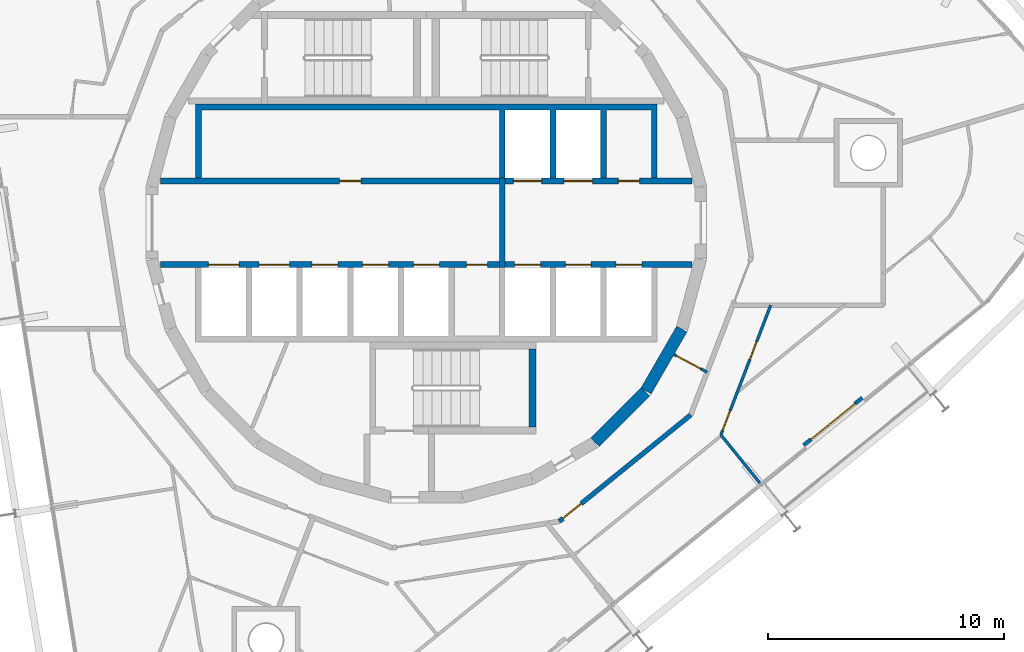
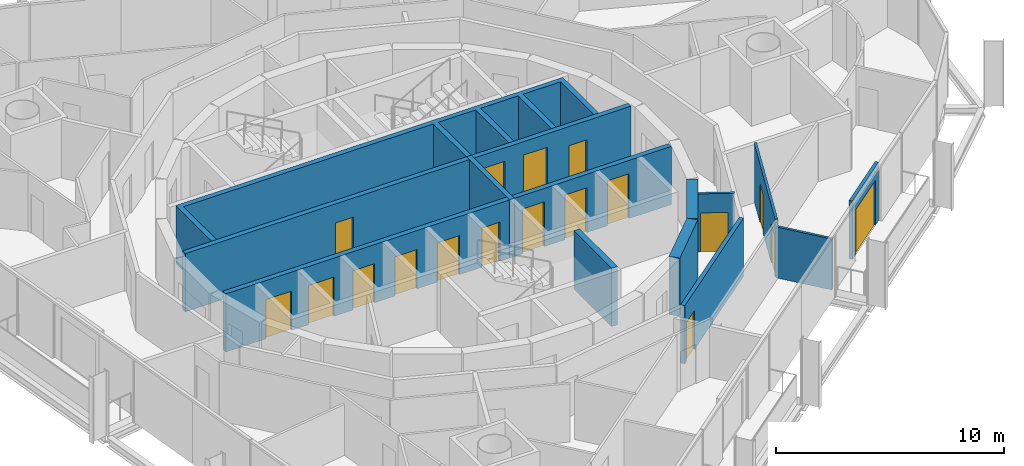
# One storey, part 13 of 17: 18 doors, 14 walls, 18 openings.
"""IFC4 building model written with IfcOpenShell, lengths in metres."""

from ifc_helpers import new_model, si_unit, direction, frame, frame_2d, origin, place, context, subcontext, project, spatial, polyline, rectangle, outline, extrude, material, layer, layer_set, type_object, element, fill, save


model = new_model("IFC4")

# Units and contexts
model_context = context("Model", 3, precision=1e-05, world=origin(), true_north=direction((0.0, 1.0)))
body_context = subcontext(model_context, "Body", "Model", "MODEL_VIEW")
ifc_project = project(units=[si_unit("LENGTHUNIT", "METRE"), si_unit("AREAUNIT", "SQUARE_METRE"), si_unit("VOLUMEUNIT", "CUBIC_METRE"), si_unit("PLANEANGLEUNIT", "RADIAN"), si_unit("MASSUNIT", "GRAM", prefix="KILO")], contexts=[model_context])

# Site, building, storey
site_placement = place(None, origin())
site = spatial("IfcSite", under=ifc_project, at=site_placement, CompositionType="ELEMENT")
building_placement = place(site_placement, origin())
building = spatial("IfcBuilding", under=site, at=building_placement, Name="Spindle Arch Residences", CompositionType="ELEMENT")
storey_placement = place(building_placement, frame((0.0, 0.0, 270.39990234375)))
storey = spatial("IfcBuildingStorey", under=building, at=storey_placement, Name="L69", CompositionType="ELEMENT", Elevation=270.39990234375)

# Walls
ifc_material_1 = material(Name="Concrete C50/60", Category="concrete")
ifc_layer_1 = layer(ifc_material_1, 0.5)
ifc_layer_set_1 = layer_set([ifc_layer_1], Name="Core outline wall 500")
wall_type_1 = type_object("IfcWallType", Name="Core outline wall 500", PredefinedType="SHEAR", material=ifc_layer_set_1)
wall_1_placement = place(storey_placement, frame((7.163818359375, -9.30810546875, 0.0), z_axis=(0.0, 0.0, 1.0), x_axis=(0.707106781187, 0.707106781187, 0.0)))
element("IfcWall", 1, at=wall_1_placement, inside=storey, type_object=wall_type_1, Name="Core outline wall 3", PredefinedType="SHEAR", context=body_context, shape_type="SweptSolid", body=[
    extrude(rectangle(XDim=3.032470703125, YDim=0.5, at=frame_2d((1.51611328125, 0.0))), origin(), (0.0, 0.0, 1.0), 3.1201171875),
])
wall_2_placement = place(storey_placement, frame((9.32861328125, -7.13671875, 0.0), z_axis=(0.0, 0.0, 1.0), x_axis=(0.500087131594, 0.865975092491, 0.0)))
element("IfcWall", 2, at=wall_2_placement, inside=storey, type_object=wall_type_1, Name="Core outline wall 4", PredefinedType="SHEAR", context=body_context, shape_type="SweptSolid", body=[
    extrude(rectangle(XDim=3.03271484375, YDim=0.5, at=frame_2d((1.516357421875, 0.0))), origin(), (0.0, 0.0, 1.0), 3.1201171875),
])

# Wall, opening, door
ifc_material_2 = material(Name="Plasterboard on steel studs", Category="steel")
ifc_layer_2 = layer(ifc_material_2, 0.1201171875)
ifc_layer_set_2 = layer_set([ifc_layer_2], Name="Corridor division wall 120")
wall_type_2 = type_object("IfcWallType", Name="Corridor division wall 120", PredefinedType="PARTITIONING", material=ifc_layer_set_2)
wall_3_placement = place(storey_placement, frame((10.510986328125, -5.5888671875, 0.0), z_axis=(0.0, 0.0, 1.0), x_axis=(0.882983002821, -0.469404960273, 0.0)))
wall_3 = element("IfcWall", 3, at=wall_3_placement, inside=storey, type_object=wall_type_2, Name="Corridor division wall R7A0-W002", PredefinedType="PARTITIONING", context=body_context, shape_type="SweptSolid", body=[
    extrude(rectangle(XDim=1.59619140625, YDim=0.1201171875, at=frame_2d((0.798095703125, 0.0))), origin(), (0.0, 0.0, 1.0), 3.1201171875),
])
opening_1_placement = place(wall_3_placement, frame((0.10009765625, 0.0, 0.0)))
opening_1 = element("IfcOpeningElement", 4, at=opening_1_placement, cuts=wall_3, Name="Opening R7A0-CD02", PredefinedType="OPENING", context=body_context, shape_type="SweptSolid", body=[
    extrude(rectangle(XDim=1.199951171875, YDim=2.10009765625, at=frame_2d((0.60009765625, 1.050048828125))), frame((0.0, 0.070068359375, 0.0), z_axis=(0.0, -1.0, 0.0), x_axis=(1.0, 0.0, 0.0)), (0.0, 0.0, 1.0), 0.14013671875),
])
ifc_material_3 = material(Name="Steel, fire-resisting door", Category="steel")
door_type_1 = type_object("IfcDoorType", Name="Corridor division door 1200x2100", OperationType="NOTDEFINED", PredefinedType="DOOR", material=ifc_material_3)
door_1_placement = place(opening_1_placement, origin())
door_1 = element("IfcDoor", 5, at=door_1_placement, inside=storey, type_object=door_type_1, Name="Corridor division door R7A0-CD02", OperationType="DOUBLE_DOOR_SINGLE_SWING", OverallHeight=2.10009765625, OverallWidth=1.199951171875, PredefinedType="DOOR", context=body_context, shape_type="SweptSolid", body=[
    extrude(rectangle(XDim=1.199951171875, YDim=2.10009765625, at=frame_2d((0.60009765625, 1.050048828125))), frame((0.0, 0.02490234375, 0.0), z_axis=(0.0, -1.0, 0.0), x_axis=(1.0, 0.0, 0.0)), (0.0, 0.0, 1.0), 0.050048828125),
])
fill(opening_1, door_1)

ifc_material_4 = material(Name="Calcium silicate block, plastered")
ifc_layer_3 = layer(ifc_material_4, 0.199951171875)
ifc_layer_set_3 = layer_set([ifc_layer_3], Name="Corridor wall 200")
wall_type_3 = type_object("IfcWallType", Name="Corridor wall 200", PredefinedType="STANDARD", material=ifc_layer_set_3)
wall_4_placement = place(storey_placement, frame((5.642578125, -12.67333984375, 0.0), z_axis=(0.0, 0.0, 1.0), x_axis=(0.777160148113, 0.629302871585, 0.0)))
wall_4 = element("IfcWall", 6, at=wall_4_placement, inside=storey, type_object=wall_type_3, Name="Corridor wall R7A0-W015", PredefinedType="STANDARD", context=body_context, shape_type="SweptSolid", body=[
    extrude(rectangle(XDim=7.180908203125, YDim=0.199951171875, at=frame_2d((3.59033203125, 0.0))), origin(), (0.0, 0.0, 1.0), 3.1201171875),
])
opening_2_placement = place(wall_4_placement, frame((0.199951171875, 0.0, 0.0)))
opening_2 = element("IfcOpeningElement", 7, at=opening_2_placement, cuts=wall_4, Name="Opening R7A0-FD06", PredefinedType="OPENING", context=body_context, shape_type="SweptSolid", body=[
    extrude(rectangle(XDim=1.0, YDim=2.10009765625, at=frame_2d((0.5, 1.050048828125))), frame((0.0, 0.10986328125, 0.0), z_axis=(0.0, -1.0, 0.0), x_axis=(1.0, 0.0, 0.0)), (0.0, 0.0, 1.0), 0.219970703125),
])
ifc_material_5 = material(Name="Timber, fire-resisting door set", Category="wood")
door_type_2 = type_object("IfcDoorType", Name="Flat entrance door 1000x2100", OperationType="NOTDEFINED", PredefinedType="DOOR", material=ifc_material_5)
door_2_placement = place(opening_2_placement, origin())
door_2 = element("IfcDoor", 8, at=door_2_placement, inside=storey, type_object=door_type_2, Name="Flat entrance door R7A0-FD06", OperationType="SINGLE_SWING_LEFT", OverallHeight=2.10009765625, OverallWidth=1.0, PredefinedType="DOOR", context=body_context, shape_type="SweptSolid", body=[
    extrude(rectangle(XDim=1.0, YDim=2.10009765625, at=frame_2d((0.5, 1.050048828125))), frame((0.0, 0.02490234375, 0.0), z_axis=(0.0, -1.0, 0.0), x_axis=(1.0, 0.0, 0.0)), (0.0, 0.0, 1.0), 0.050048828125),
])
fill(opening_2, door_2)

# Wall, openings, doors
ifc_material_6 = material(Name="Concrete C40/50", Category="concrete")
ifc_layer_4 = layer(ifc_material_6, 0.25)
ifc_layer_set_4 = layer_set([ifc_layer_4], Name="Fire-lift lobby wall 250")
wall_type_4 = type_object("IfcWallType", Name="Fire-lift lobby wall 250", PredefinedType="SHEAR", material=ifc_layer_set_4)
wall_5_placement = place(storey_placement, frame((3.35009765625, 1.77490234375, 0.0), z_axis=(0.0, 0.0, 1.0), x_axis=(1.0, 0.0, 0.0)))
wall_5 = element("IfcWall", 9, at=wall_5_placement, inside=storey, type_object=wall_type_4, Name="Lift shaft front wall NE", PredefinedType="SHEAR", context=body_context, shape_type="SweptSolid", body=[
    extrude(rectangle(XDim=7.929931640625, YDim=0.25, at=frame_2d((3.96484375, 0.0))), origin(), (0.0, 0.0, 1.0), 3.1201171875),
])
opening_3_placement = place(wall_5_placement, frame((0.35009765625, 0.0, 0.0)))
opening_3 = element("IfcOpeningElement", 10, at=opening_3_placement, cuts=wall_5, Name="Opening R7A0-SLD01", PredefinedType="OPENING", context=body_context, shape_type="SweptSolid", body=[
    extrude(rectangle(XDim=1.199951171875, YDim=2.39990234375, at=frame_2d((0.60009765625, 1.199951171875))), frame((0.0, 0.135009765625, 0.0), z_axis=(0.0, -1.0, 0.0), x_axis=(1.0, 0.0, 0.0)), (0.0, 0.0, 1.0), 0.27001953125),
])
opening_4_placement = place(wall_5_placement, frame((2.5, 0.0, 0.0)))
opening_4 = element("IfcOpeningElement", 11, at=opening_4_placement, cuts=wall_5, Name="Opening R7A0-SLD02", PredefinedType="OPENING", context=body_context, shape_type="SweptSolid", body=[
    extrude(rectangle(XDim=1.199951171875, YDim=2.39990234375, at=frame_2d((0.60009765625, 1.199951171875))), frame((0.0, 0.135009765625, 0.0), z_axis=(0.0, -1.0, 0.0), x_axis=(1.0, 0.0, 0.0)), (0.0, 0.0, 1.0), 0.27001953125),
])
opening_5_placement = place(wall_5_placement, frame((4.800048828125, 0.0, 0.0)))
opening_5 = element("IfcOpeningElement", 12, at=opening_5_placement, cuts=wall_5, Name="Opening R7A0-WD02", PredefinedType="OPENING", context=body_context, shape_type="SweptSolid", body=[
    extrude(rectangle(XDim=0.89990234375, YDim=2.10009765625, at=frame_2d((0.449951171875, 1.050048828125))), frame((0.0, 0.135009765625, 0.0), z_axis=(0.0, -1.0, 0.0), x_axis=(1.0, 0.0, 0.0)), (0.0, 0.0, 1.0), 0.27001953125),
])
ifc_material_7 = material(Name="Steel, fire-resisting landing door", Category="steel")
door_type_3 = type_object("IfcDoorType", Name="Service lift landing door 1200x2400", OperationType="DOUBLE_DOOR_SLIDING", PredefinedType="DOOR", material=ifc_material_7)
door_3_placement = place(opening_3_placement, origin())
door_3 = element("IfcDoor", 13, at=door_3_placement, inside=storey, type_object=door_type_3, Name="Service lift landing door R7A0-SLD01", OperationType="DOUBLE_DOOR_SLIDING", OverallHeight=2.39990234375, OverallWidth=1.199951171875, PredefinedType="DOOR", context=body_context, shape_type="SweptSolid", body=[
    extrude(rectangle(XDim=1.199951171875, YDim=2.39990234375, at=frame_2d((0.60009765625, 1.199951171875))), frame((0.0, 0.02490234375, 0.0), z_axis=(0.0, -1.0, 0.0), x_axis=(1.0, 0.0, 0.0)), (0.0, 0.0, 1.0), 0.050048828125),
])
fill(opening_3, door_3)
door_4_placement = place(opening_4_placement, origin())
door_4 = element("IfcDoor", 14, at=door_4_placement, inside=storey, type_object=door_type_3, Name="Service lift landing door R7A0-SLD02", OperationType="DOUBLE_DOOR_SLIDING", OverallHeight=2.39990234375, OverallWidth=1.199951171875, PredefinedType="DOOR", context=body_context, shape_type="SweptSolid", body=[
    extrude(rectangle(XDim=1.199951171875, YDim=2.39990234375, at=frame_2d((0.60009765625, 1.199951171875))), frame((0.0, 0.02490234375, 0.0), z_axis=(0.0, -1.0, 0.0), x_axis=(1.0, 0.0, 0.0)), (0.0, 0.0, 1.0), 0.050048828125),
])
fill(opening_4, door_4)
ifc_material_8 = material(Name="Steel, fire-resisting door", Category="steel")
door_type_4 = type_object("IfcDoorType", Name="Service room door 900x2100", OperationType="SINGLE_SWING_LEFT", PredefinedType="DOOR", material=ifc_material_8)
door_5_placement = place(opening_5_placement, origin())
door_5 = element("IfcDoor", 15, at=door_5_placement, inside=storey, type_object=door_type_4, Name="Service room door R7A0-WD02", OperationType="SINGLE_SWING_RIGHT", OverallHeight=2.10009765625, OverallWidth=0.89990234375, PredefinedType="DOOR", context=body_context, shape_type="SweptSolid", body=[
    extrude(rectangle(XDim=0.89990234375, YDim=2.10009765625, at=frame_2d((0.449951171875, 1.050048828125))), frame((0.0, 0.02490234375, 0.0), z_axis=(0.0, -1.0, 0.0), x_axis=(1.0, 0.0, 0.0)), (0.0, 0.0, 1.0), 0.050048828125),
])
fill(opening_5, door_5)

# Wall
wall_6_placement = place(storey_placement, frame((3.22509765625, -1.89990234375, 0.0), z_axis=(0.0, 0.0, 1.0), x_axis=(0.0, 1.0, 0.0)))
element("IfcWall", 16, at=wall_6_placement, inside=storey, type_object=wall_type_4, Name="Fire-fighting lobby partition", PredefinedType="SHEAR", context=body_context, shape_type="SweptSolid", body=[
    extrude(rectangle(XDim=3.7998046875, YDim=0.25, at=frame_2d((1.89990234375, 0.0))), origin(), (0.0, 0.0, 1.0), 3.1201171875),
])

# Wall, openings, doors
ifc_material_9 = material(Name="Concrete C50/60", Category="concrete")
ifc_layer_5 = layer(ifc_material_9, 0.25)
ifc_layer_set_5 = layer_set([ifc_layer_5], Name="Fire-lift shaft wall 250")
wall_type_5 = type_object("IfcWallType", Name="Fire-lift shaft wall 250", PredefinedType="SHEAR", material=ifc_layer_set_5)
wall_7_placement = place(storey_placement, frame((3.35009765625, -1.77490234375, 0.0), z_axis=(0.0, 0.0, 1.0), x_axis=(1.0, 0.0, 0.0)))
wall_7 = element("IfcWall", 17, at=wall_7_placement, inside=storey, type_object=wall_type_5, Name="Lift shaft front wall SE", PredefinedType="SHEAR", context=body_context, shape_type="SweptSolid", body=[
    extrude(rectangle(XDim=7.929931640625, YDim=0.25, at=frame_2d((3.96484375, 0.0))), origin(), (0.0, 0.0, 1.0), 3.1201171875),
])
opening_6_placement = place(wall_7_placement, frame((0.39990234375, 0.0, 0.0)))
opening_6 = element("IfcOpeningElement", 18, at=opening_6_placement, cuts=wall_7, Name="Opening R7A0-FLD01", PredefinedType="OPENING", context=body_context, shape_type="SweptSolid", body=[
    extrude(rectangle(XDim=1.10009765625, YDim=2.39990234375, at=frame_2d((0.550048828125, 1.199951171875))), frame((0.0, 0.135009765625, 0.0), z_axis=(0.0, -1.0, 0.0), x_axis=(1.0, 0.0, 0.0)), (0.0, 0.0, 1.0), 0.27001953125),
])
opening_7_placement = place(wall_7_placement, frame((2.550048828125, 0.0, 0.0)))
opening_7 = element("IfcOpeningElement", 19, at=opening_7_placement, cuts=wall_7, Name="Opening R7A0-FLD02", PredefinedType="OPENING", context=body_context, shape_type="SweptSolid", body=[
    extrude(rectangle(XDim=1.10009765625, YDim=2.39990234375, at=frame_2d((0.550048828125, 1.199951171875))), frame((0.0, 0.135009765625, 0.0), z_axis=(0.0, -1.0, 0.0), x_axis=(1.0, 0.0, 0.0)), (0.0, 0.0, 1.0), 0.27001953125),
])
opening_8_placement = place(wall_7_placement, frame((4.699951171875, 0.0, 0.0)))
opening_8 = element("IfcOpeningElement", 20, at=opening_8_placement, cuts=wall_7, Name="Opening R7A0-FLD03", PredefinedType="OPENING", context=body_context, shape_type="SweptSolid", body=[
    extrude(rectangle(XDim=1.10009765625, YDim=2.39990234375, at=frame_2d((0.550048828125, 1.199951171875))), frame((0.0, 0.135009765625, 0.0), z_axis=(0.0, -1.0, 0.0), x_axis=(1.0, 0.0, 0.0)), (0.0, 0.0, 1.0), 0.27001953125),
])
ifc_material_10 = material(Name="Steel, fire-resisting landing door", Category="steel")
door_type_5 = type_object("IfcDoorType", Name="Fire-fighting lift landing door 1100x2400", OperationType="DOUBLE_DOOR_SLIDING", PredefinedType="DOOR", material=ifc_material_10)
door_6_placement = place(opening_6_placement, origin())
door_6 = element("IfcDoor", 21, at=door_6_placement, inside=storey, type_object=door_type_5, Name="Fire-fighting lift landing door R7A0-FLD01", OperationType="DOUBLE_DOOR_SLIDING", OverallHeight=2.39990234375, OverallWidth=1.10009765625, PredefinedType="DOOR", context=body_context, shape_type="SweptSolid", body=[
    extrude(rectangle(XDim=1.10009765625, YDim=2.39990234375, at=frame_2d((0.550048828125, 1.199951171875))), frame((0.0, 0.02490234375, 0.0), z_axis=(0.0, -1.0, 0.0), x_axis=(1.0, 0.0, 0.0)), (0.0, 0.0, 1.0), 0.050048828125),
])
fill(opening_6, door_6)
door_7_placement = place(opening_7_placement, origin())
door_7 = element("IfcDoor", 22, at=door_7_placement, inside=storey, type_object=door_type_5, Name="Fire-fighting lift landing door R7A0-FLD02", OperationType="DOUBLE_DOOR_SLIDING", OverallHeight=2.39990234375, OverallWidth=1.10009765625, PredefinedType="DOOR", context=body_context, shape_type="SweptSolid", body=[
    extrude(rectangle(XDim=1.10009765625, YDim=2.39990234375, at=frame_2d((0.550048828125, 1.199951171875))), frame((0.0, 0.02490234375, 0.0), z_axis=(0.0, -1.0, 0.0), x_axis=(1.0, 0.0, 0.0)), (0.0, 0.0, 1.0), 0.050048828125),
])
fill(opening_7, door_7)
door_8_placement = place(opening_8_placement, origin())
door_8 = element("IfcDoor", 23, at=door_8_placement, inside=storey, type_object=door_type_5, Name="Fire-fighting lift landing door R7A0-FLD03", OperationType="DOUBLE_DOOR_SLIDING", OverallHeight=2.39990234375, OverallWidth=1.10009765625, PredefinedType="DOOR", context=body_context, shape_type="SweptSolid", body=[
    extrude(rectangle(XDim=1.10009765625, YDim=2.39990234375, at=frame_2d((0.550048828125, 1.199951171875))), frame((0.0, 0.02490234375, 0.0), z_axis=(0.0, -1.0, 0.0), x_axis=(1.0, 0.0, 0.0)), (0.0, 0.0, 1.0), 0.050048828125),
])
fill(opening_8, door_8)

ifc_material_11 = material(Name="Plasterboard on steel studs", Category="steel")
ifc_layer_6 = layer(ifc_material_11, 0.1201171875)
ifc_layer_set_6 = layer_set([ifc_layer_6], Name="Flat partition 120")
wall_type_6 = type_object("IfcWallType", Name="Flat partition 120", PredefinedType="PARTITIONING", material=ifc_layer_set_6)
wall_8_placement = place(storey_placement, frame((12.5048828125, -9.000732421875, 0.0), z_axis=(0.0, 0.0, 1.0), x_axis=(0.358373707046, 0.933578216379, 0.0)))
wall_8 = element("IfcWall", 24, at=wall_8_placement, inside=storey, type_object=wall_type_6, Name="Flat partition R7A0-W086", PredefinedType="PARTITIONING", context=body_context, shape_type="SweptSolid", body=[
    extrude(rectangle(XDim=5.89208984375, YDim=0.1201171875, at=frame_2d((2.946044921875, 0.0))), origin(), (0.0, 0.0, 1.0), 3.1201171875),
])
opening_9_placement = place(wall_8_placement, frame((0.199951171875, 0.0, 0.0)))
opening_9 = element("IfcOpeningElement", 25, at=opening_9_placement, cuts=wall_8, Name="Opening R7A0-ID24", PredefinedType="OPENING", context=body_context, shape_type="SweptSolid", body=[
    extrude(rectangle(XDim=0.89990234375, YDim=2.10009765625, at=frame_2d((0.449951171875, 1.050048828125))), frame((0.0, 0.070068359375, 0.0), z_axis=(0.0, -1.0, 0.0), x_axis=(1.0, 0.0, 0.0)), (0.0, 0.0, 1.0), 0.14013671875),
])
opening_10_placement = place(wall_8_placement, frame((3.435791015625, 0.0, 0.0)))
opening_10 = element("IfcOpeningElement", 26, at=opening_10_placement, cuts=wall_8, Name="Opening R7A0-BD06", PredefinedType="OPENING", context=body_context, shape_type="SweptSolid", body=[
    extrude(rectangle(XDim=0.800048828125, YDim=2.10009765625, at=frame_2d((0.39990234375, 1.050048828125))), frame((0.0, 0.070068359375, 0.0), z_axis=(0.0, -1.0, 0.0), x_axis=(1.0, 0.0, 0.0)), (0.0, 0.0, 1.0), 0.14013671875),
])
ifc_material_12 = material(Name="Timber door set", Category="wood")
door_type_6 = type_object("IfcDoorType", Name="Bathroom door 800x2100", OperationType="NOTDEFINED", PredefinedType="DOOR", material=ifc_material_12)
door_9_placement = place(opening_10_placement, origin())
door_9 = element("IfcDoor", 27, at=door_9_placement, inside=storey, type_object=door_type_6, Name="Bathroom door R7A0-BD06", OperationType="SINGLE_SWING_RIGHT", OverallHeight=2.10009765625, OverallWidth=0.800048828125, PredefinedType="DOOR", context=body_context, shape_type="SweptSolid", body=[
    extrude(rectangle(XDim=0.800048828125, YDim=2.10009765625, at=frame_2d((0.39990234375, 1.050048828125))), frame((0.0, 0.02490234375, 0.0), z_axis=(0.0, -1.0, 0.0), x_axis=(1.0, 0.0, 0.0)), (0.0, 0.0, 1.0), 0.050048828125),
])
fill(opening_10, door_9)
ifc_material_13 = material(Name="Timber door set", Category="wood")
door_type_7 = type_object("IfcDoorType", Name="Room door 900x2100", OperationType="NOTDEFINED", PredefinedType="DOOR", material=ifc_material_13)
door_10_placement = place(opening_9_placement, origin())
door_10 = element("IfcDoor", 28, at=door_10_placement, inside=storey, type_object=door_type_7, Name="Room door R7A0-ID24", OperationType="SINGLE_SWING_RIGHT", OverallHeight=2.10009765625, OverallWidth=0.89990234375, PredefinedType="DOOR", context=body_context, shape_type="SweptSolid", body=[
    extrude(rectangle(XDim=0.89990234375, YDim=2.10009765625, at=frame_2d((0.449951171875, 1.050048828125))), frame((0.0, 0.02490234375, 0.0), z_axis=(0.0, -1.0, 0.0), x_axis=(1.0, 0.0, 0.0)), (0.0, 0.0, 1.0), 0.050048828125),
])
fill(opening_9, door_10)

# Wall
ifc_material_14 = material(Name="Plasterboard on steel studs", Category="steel")
ifc_layer_7 = layer(ifc_material_14, 0.1201171875)
ifc_layer_set_7 = layer_set([ifc_layer_7], Name="Flat partition 120 under beam 2730")
wall_type_7 = type_object("IfcWallType", Name="Flat partition 120 under beam 2730", PredefinedType="PARTITIONING", material=ifc_layer_set_7)
wall_9_placement = place(storey_placement, frame((14.161376953125, -11.04638671875, 0.0), z_axis=(0.0, 0.0, 1.0), x_axis=(-0.62931028473, 0.777154145284, 0.0)))
element("IfcWall", 29, at=wall_9_placement, inside=storey, type_object=wall_type_7, Name="Flat partition R7A0-W094", PredefinedType="PARTITIONING", context=body_context, shape_type="SweptSolid", body=[
    extrude(rectangle(XDim=2.63232421875, YDim=0.1201171875, at=frame_2d((1.316162109375, 0.0))), origin(), (0.0, 0.0, 1.0), 2.72998046875),
])

# Wall, opening, door
ifc_material_15 = material(Name="Non-combustible mineral wool insulated aluminium faced external wall (K0)", Category="aluminium")
ifc_layer_8 = layer(ifc_material_15, 0.159912109375)
ifc_layer_set_8 = layer_set([ifc_layer_8], Name="Insulated external wall panel 160")
wall_type_8 = type_object("IfcWallType", Name="Insulated external wall panel 160", PredefinedType="STANDARD", material=ifc_layer_set_8)
wall_10_placement = place(storey_placement, frame((16.01806640625, -9.43994140625, 0.0), z_axis=(0.0, 0.0, 1.0), x_axis=(0.777125818, 0.629345265333, 0.0)))
wall_10 = element("IfcWall", 30, at=wall_10_placement, inside=storey, type_object=wall_type_8, Name="External wall L69 bay 1", PredefinedType="STANDARD", context=body_context, shape_type="SweptSolid", body=[
    extrude(rectangle(XDim=3.199951171875, YDim=0.159912109375, at=frame_2d((1.60009765625, 0.0))), origin(), (0.0, 0.0, 1.0), 3.1201171875),
])
opening_11_placement = place(wall_10_placement, frame((0.39990234375, 0.0, 0.0)))
opening_11 = element("IfcOpeningElement", 31, at=opening_11_placement, cuts=wall_10, Name="Opening BD01", PredefinedType="OPENING", context=body_context, shape_type="SweptSolid", body=[
    extrude(rectangle(XDim=2.39990234375, YDim=2.39990234375, at=frame_2d((1.199951171875, 1.199951171875))), frame((0.0, 0.08984375, 0.0), z_axis=(0.0, -1.0, 0.0), x_axis=(1.0, 0.0, 0.0)), (0.0, 0.0, 1.0), 0.179931640625),
])
ifc_material_16 = material(Name="Bronze aluminium frame, tinted double glazing", Category="aluminium")
door_type_8 = type_object("IfcDoorType", Name="Sliding glazed balcony door 2400x2400", OperationType="DOUBLE_DOOR_SLIDING", PredefinedType="DOOR", material=ifc_material_16)
door_11_placement = place(opening_11_placement, origin())
door_11 = element("IfcDoor", 32, at=door_11_placement, inside=storey, type_object=door_type_8, Name="Balcony door BD01", OperationType="DOUBLE_DOOR_SLIDING", OverallHeight=2.39990234375, OverallWidth=2.39990234375, PredefinedType="DOOR", context=body_context, shape_type="SweptSolid", body=[
    extrude(rectangle(XDim=2.39990234375, YDim=2.39990234375, at=frame_2d((1.199951171875, 1.199951171875))), frame((0.0, 0.02490234375, 0.0), z_axis=(0.0, -1.0, 0.0), x_axis=(1.0, 0.0, 0.0)), (0.0, 0.0, 1.0), 0.050048828125),
])
fill(opening_11, door_11)

ifc_material_17 = material(Name="Concrete C50/60", Category="concrete")
ifc_layer_9 = layer(ifc_material_17, 0.25)
ifc_layer_set_9 = layer_set([ifc_layer_9], Name="Lift shaft wall 250")
wall_type_9 = type_object("IfcWallType", Name="Lift shaft wall 250", PredefinedType="SHEAR", material=ifc_layer_set_9)
wall_11_placement = place(storey_placement, frame((-11.280029296875, 1.77490234375, 0.0), z_axis=(0.0, 0.0, 1.0), x_axis=(1.0, 0.0, 0.0)))
wall_11 = element("IfcWall", 33, at=wall_11_placement, inside=storey, type_object=wall_type_9, Name="Lift shaft front wall NW", PredefinedType="SHEAR", context=body_context, shape_type="SweptSolid", body=[
    extrude(rectangle(XDim=14.380126953125, YDim=0.25, at=frame_2d((7.18994140625, 0.0))), origin(), (0.0, 0.0, 1.0), 3.1201171875),
])
opening_12_placement = place(wall_11_placement, frame((7.60498046875, 0.0, 0.0)))
opening_12 = element("IfcOpeningElement", 34, at=opening_12_placement, cuts=wall_11, Name="Opening R7A0-WD01", PredefinedType="OPENING", context=body_context, shape_type="SweptSolid", body=[
    extrude(rectangle(XDim=0.89990234375, YDim=2.10009765625, at=frame_2d((0.449951171875, 1.050048828125))), frame((0.0, 0.135009765625, 0.0), z_axis=(0.0, -1.0, 0.0), x_axis=(1.0, 0.0, 0.0)), (0.0, 0.0, 1.0), 0.27001953125),
])
door_12_placement = place(opening_12_placement, origin())
door_12 = element("IfcDoor", 35, at=door_12_placement, inside=storey, type_object=door_type_4, Name="Service room door R7A0-WD01", OperationType="SINGLE_SWING_LEFT", OverallHeight=2.10009765625, OverallWidth=0.89990234375, PredefinedType="DOOR", context=body_context, shape_type="SweptSolid", body=[
    extrude(rectangle(XDim=0.89990234375, YDim=2.10009765625, at=frame_2d((0.449951171875, 1.050048828125))), frame((0.0, 0.02490234375, 0.0), z_axis=(0.0, -1.0, 0.0), x_axis=(1.0, 0.0, 0.0)), (0.0, 0.0, 1.0), 0.050048828125),
])
fill(opening_12, door_12)

# Wall, openings, doors
wall_12_placement = place(storey_placement, frame((-11.280029296875, -1.77490234375, 0.0), z_axis=(0.0, 0.0, 1.0), x_axis=(1.0, 0.0, 0.0)))
wall_12 = element("IfcWall", 36, at=wall_12_placement, inside=storey, type_object=wall_type_9, Name="Lift shaft front wall SW", PredefinedType="SHEAR", context=body_context, shape_type="SweptSolid", body=[
    extrude(rectangle(XDim=14.380126953125, YDim=0.25, at=frame_2d((7.18994140625, 0.0))), origin(), (0.0, 0.0, 1.0), 3.1201171875),
])
opening_13_placement = place(wall_12_placement, frame((2.030029296875, 0.0, 0.0)))
opening_13 = element("IfcOpeningElement", 37, at=opening_13_placement, cuts=wall_12, Name="Opening R7A0-XLD01", PredefinedType="OPENING", context=body_context, shape_type="SweptSolid", body=[
    extrude(rectangle(XDim=1.300048828125, YDim=2.10009765625, at=frame_2d((0.64990234375, 1.050048828125))), frame((0.0, 0.135009765625, 0.0), z_axis=(0.0, -1.0, 0.0), x_axis=(1.0, 0.0, 0.0)), (0.0, 0.0, 1.0), 0.27001953125),
])
opening_14_placement = place(wall_12_placement, frame((4.179931640625, 0.0, 0.0)))
opening_14 = element("IfcOpeningElement", 38, at=opening_14_placement, cuts=wall_12, Name="Opening R7A0-XLD02", PredefinedType="OPENING", context=body_context, shape_type="SweptSolid", body=[
    extrude(rectangle(XDim=1.300048828125, YDim=2.10009765625, at=frame_2d((0.64990234375, 1.050048828125))), frame((0.0, 0.135009765625, 0.0), z_axis=(0.0, -1.0, 0.0), x_axis=(1.0, 0.0, 0.0)), (0.0, 0.0, 1.0), 0.27001953125),
])
opening_15_placement = place(wall_12_placement, frame((6.429931640625, 0.0, 0.0)))
opening_15 = element("IfcOpeningElement", 39, at=opening_15_placement, cuts=wall_12, Name="Opening R7A0-LD01", PredefinedType="OPENING", context=body_context, shape_type="SweptSolid", body=[
    extrude(rectangle(XDim=1.10009765625, YDim=2.10009765625, at=frame_2d((0.550048828125, 1.050048828125))), frame((0.0, 0.135009765625, 0.0), z_axis=(0.0, -1.0, 0.0), x_axis=(1.0, 0.0, 0.0)), (0.0, 0.0, 1.0), 0.27001953125),
])
opening_16_placement = place(wall_12_placement, frame((8.580078125, 0.0, 0.0)))
opening_16 = element("IfcOpeningElement", 40, at=opening_16_placement, cuts=wall_12, Name="Opening R7A0-LD02", PredefinedType="OPENING", context=body_context, shape_type="SweptSolid", body=[
    extrude(rectangle(XDim=1.10009765625, YDim=2.10009765625, at=frame_2d((0.550048828125, 1.050048828125))), frame((0.0, 0.135009765625, 0.0), z_axis=(0.0, -1.0, 0.0), x_axis=(1.0, 0.0, 0.0)), (0.0, 0.0, 1.0), 0.27001953125),
])
opening_17_placement = place(wall_12_placement, frame((10.72998046875, 0.0, 0.0)))
opening_17 = element("IfcOpeningElement", 41, at=opening_17_placement, cuts=wall_12, Name="Opening R7A0-LD03", PredefinedType="OPENING", context=body_context, shape_type="SweptSolid", body=[
    extrude(rectangle(XDim=1.10009765625, YDim=2.10009765625, at=frame_2d((0.550048828125, 1.050048828125))), frame((0.0, 0.135009765625, 0.0), z_axis=(0.0, -1.0, 0.0), x_axis=(1.0, 0.0, 0.0)), (0.0, 0.0, 1.0), 0.27001953125),
])
opening_18_placement = place(wall_12_placement, frame((12.97998046875, 0.0, 0.0)))
opening_18 = element("IfcOpeningElement", 42, at=opening_18_placement, cuts=wall_12, Name="Opening R7A0-WD03", PredefinedType="OPENING", context=body_context, shape_type="SweptSolid", body=[
    extrude(rectangle(XDim=0.89990234375, YDim=2.10009765625, at=frame_2d((0.449951171875, 1.050048828125))), frame((0.0, 0.135009765625, 0.0), z_axis=(0.0, -1.0, 0.0), x_axis=(1.0, 0.0, 0.0)), (0.0, 0.0, 1.0), 0.27001953125),
])
ifc_material_18 = material(Name="Steel, fire-resisting landing door", Category="steel")
door_type_9 = type_object("IfcDoorType", Name="Express shuttle landing door 1300x2100", OperationType="DOUBLE_DOOR_SLIDING", PredefinedType="DOOR", material=ifc_material_18)
door_13_placement = place(opening_13_placement, origin())
door_13 = element("IfcDoor", 43, at=door_13_placement, inside=storey, type_object=door_type_9, Name="Express shuttle landing door R7A0-XLD01", OperationType="DOUBLE_DOOR_SLIDING", OverallHeight=2.10009765625, OverallWidth=1.300048828125, PredefinedType="DOOR", context=body_context, shape_type="SweptSolid", body=[
    extrude(rectangle(XDim=1.300048828125, YDim=2.10009765625, at=frame_2d((0.64990234375, 1.050048828125))), frame((0.0, 0.02490234375, 0.0), z_axis=(0.0, -1.0, 0.0), x_axis=(1.0, 0.0, 0.0)), (0.0, 0.0, 1.0), 0.050048828125),
])
fill(opening_13, door_13)
door_14_placement = place(opening_14_placement, origin())
door_14 = element("IfcDoor", 44, at=door_14_placement, inside=storey, type_object=door_type_9, Name="Express shuttle landing door R7A0-XLD02", OperationType="DOUBLE_DOOR_SLIDING", OverallHeight=2.10009765625, OverallWidth=1.300048828125, PredefinedType="DOOR", context=body_context, shape_type="SweptSolid", body=[
    extrude(rectangle(XDim=1.300048828125, YDim=2.10009765625, at=frame_2d((0.64990234375, 1.050048828125))), frame((0.0, 0.02490234375, 0.0), z_axis=(0.0, -1.0, 0.0), x_axis=(1.0, 0.0, 0.0)), (0.0, 0.0, 1.0), 0.050048828125),
])
fill(opening_14, door_14)
ifc_material_19 = material(Name="Steel, fire-resisting landing door", Category="steel")
door_type_10 = type_object("IfcDoorType", Name="Lift landing door 1100x2100", OperationType="DOUBLE_DOOR_SLIDING", PredefinedType="DOOR", material=ifc_material_19)
door_15_placement = place(opening_15_placement, origin())
door_15 = element("IfcDoor", 45, at=door_15_placement, inside=storey, type_object=door_type_10, Name="Lift landing door R7A0-LD01", OperationType="DOUBLE_DOOR_SLIDING", OverallHeight=2.10009765625, OverallWidth=1.10009765625, PredefinedType="DOOR", context=body_context, shape_type="SweptSolid", body=[
    extrude(rectangle(XDim=1.10009765625, YDim=2.10009765625, at=frame_2d((0.550048828125, 1.050048828125))), frame((0.0, 0.02490234375, 0.0), z_axis=(0.0, -1.0, 0.0), x_axis=(1.0, 0.0, 0.0)), (0.0, 0.0, 1.0), 0.050048828125),
])
fill(opening_15, door_15)
door_16_placement = place(opening_16_placement, origin())
door_16 = element("IfcDoor", 46, at=door_16_placement, inside=storey, type_object=door_type_10, Name="Lift landing door R7A0-LD02", OperationType="DOUBLE_DOOR_SLIDING", OverallHeight=2.10009765625, OverallWidth=1.10009765625, PredefinedType="DOOR", context=body_context, shape_type="SweptSolid", body=[
    extrude(rectangle(XDim=1.10009765625, YDim=2.10009765625, at=frame_2d((0.550048828125, 1.050048828125))), frame((0.0, 0.02490234375, 0.0), z_axis=(0.0, -1.0, 0.0), x_axis=(1.0, 0.0, 0.0)), (0.0, 0.0, 1.0), 0.050048828125),
])
fill(opening_16, door_16)
door_17_placement = place(opening_17_placement, origin())
door_17 = element("IfcDoor", 47, at=door_17_placement, inside=storey, type_object=door_type_10, Name="Lift landing door R7A0-LD03", OperationType="DOUBLE_DOOR_SLIDING", OverallHeight=2.10009765625, OverallWidth=1.10009765625, PredefinedType="DOOR", context=body_context, shape_type="SweptSolid", body=[
    extrude(rectangle(XDim=1.10009765625, YDim=2.10009765625, at=frame_2d((0.550048828125, 1.050048828125))), frame((0.0, 0.02490234375, 0.0), z_axis=(0.0, -1.0, 0.0), x_axis=(1.0, 0.0, 0.0)), (0.0, 0.0, 1.0), 0.050048828125),
])
fill(opening_17, door_17)
door_18_placement = place(opening_18_placement, origin())
door_18 = element("IfcDoor", 48, at=door_18_placement, inside=storey, type_object=door_type_4, Name="Service room door R7A0-WD03", OperationType="SINGLE_SWING_LEFT", OverallHeight=2.10009765625, OverallWidth=0.89990234375, PredefinedType="DOOR", context=body_context, shape_type="SweptSolid", body=[
    extrude(rectangle(XDim=0.89990234375, YDim=2.10009765625, at=frame_2d((0.449951171875, 1.050048828125))), frame((0.0, 0.02490234375, 0.0), z_axis=(0.0, -1.0, 0.0), x_axis=(1.0, 0.0, 0.0)), (0.0, 0.0, 1.0), 0.050048828125),
])
fill(opening_18, door_18)

# Walls
ifc_material_20 = material(Name="Concrete C50/60", Category="concrete")
wall_type_10 = type_object("IfcWallType", Name="Lift shaft wall profile", PredefinedType="SHEAR", material=ifc_material_20)
wall_13_placement = place(storey_placement, origin())
element("IfcWall", 49, at=wall_13_placement, inside=storey, type_object=wall_type_10, Name="Lift shaft walls N", PredefinedType="SHEAR", context=body_context, shape_type="SweptSolid", body=[
    extrude(outline(polyline([(-9.800048828125, 1.89990234375), (-9.550048828125, 1.89990234375), (-9.550048828125, 4.800048828125), (3.10009765625, 4.800048828125), (3.10009765625, 1.89990234375), (3.35009765625, 1.89990234375), (3.35009765625, 4.800048828125), (5.25, 4.800048828125), (5.25, 1.89990234375), (5.5, 1.89990234375), (5.5, 4.800048828125), (7.39990234375, 4.800048828125), (7.39990234375, 1.89990234375), (7.64990234375, 1.89990234375), (7.64990234375, 4.800048828125), (9.550048828125, 4.800048828125), (9.550048828125, 1.89990234375), (9.800048828125, 1.89990234375), (9.800048828125, 4.800048828125), (9.800048828125, 5.050048828125), (-9.800048828125, 5.050048828125), (-9.800048828125, 4.800048828125), (-9.800048828125, 1.89990234375)])), origin(), (0.0, 0.0, 1.0), 3.1201171875),
])
ifc_material_21 = material(Name="Concrete C50/60", Category="concrete")
ifc_layer_10 = layer(ifc_material_21, 0.300048828125)
ifc_layer_set_10 = layer_set([ifc_layer_10], Name="Stair enclosure wall 300")
wall_type_11 = type_object("IfcWallType", Name="Stair enclosure wall 300", PredefinedType="SHEAR", material=ifc_layer_set_10)
wall_14_placement = place(storey_placement, frame((4.5, -8.669921875, 0.0), z_axis=(0.0, 0.0, 1.0), x_axis=(0.0, 1.0, 0.0)))
element("IfcWall", 50, at=wall_14_placement, inside=storey, type_object=wall_type_11, Name="Stair ST-3 enclosure wall E", PredefinedType="SHEAR", context=body_context, shape_type="SweptSolid", body=[
    extrude(rectangle(XDim=3.31982421875, YDim=0.300048828125, at=frame_2d((1.659912109375, 0.0))), origin(), (0.0, 0.0, 1.0), 3.1201171875),
])

save(model, "model.ifc")
